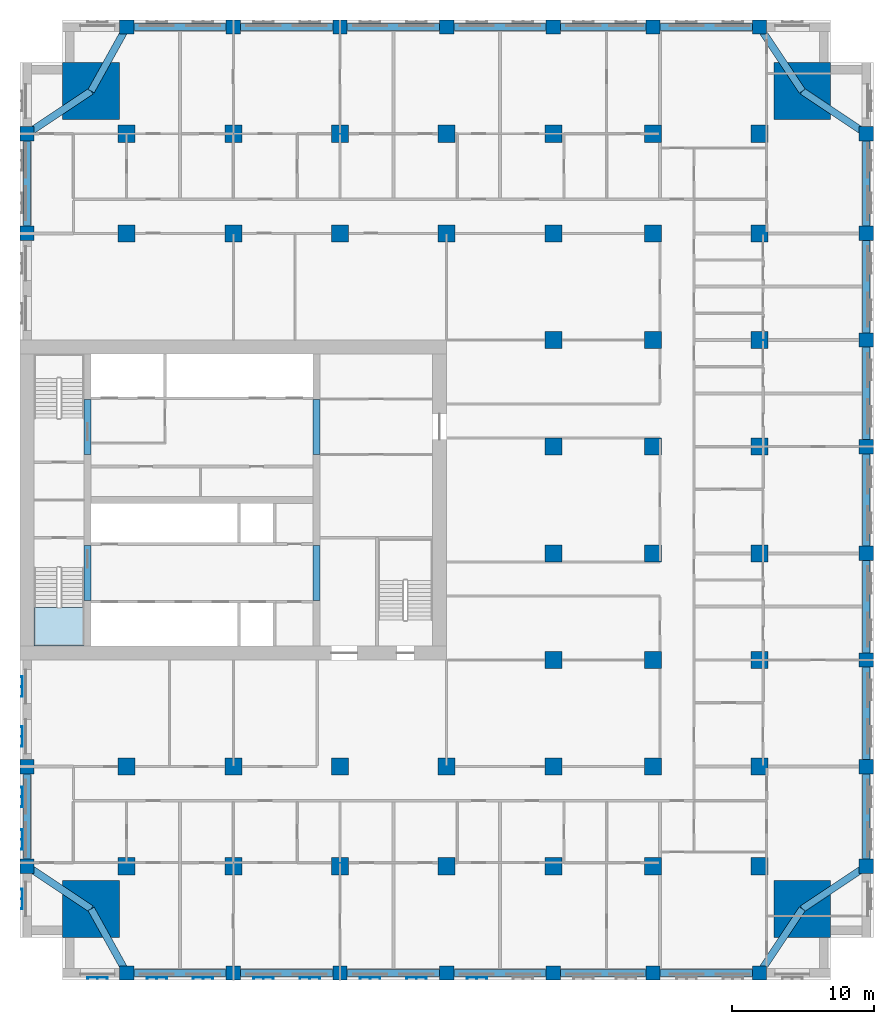
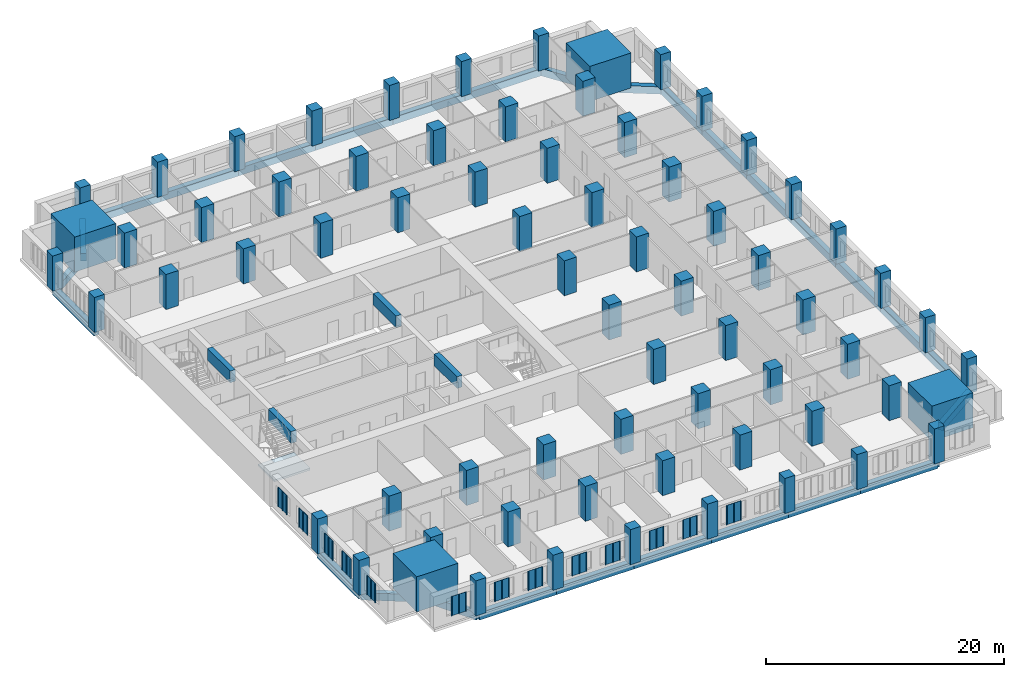
# One storey, part 1 of 14: 70 columns, 33 beams, 13 plates, 1 slab, 1 element without a shape of its own.
"""IFC4 building model written with IfcOpenShell, lengths in metres."""

from ifc_helpers import new_model, si_unit, direction, frame, origin, origin_2d, place, context, subcontext, project, spatial, polyline, rectangle, outline, extrude, material, layer, layer_set, material_profile, profile_set, type_object, element, aggregate, save


model = new_model("IFC4")

# Units and contexts
model_context = context("Model", 3, precision=1e-05, world=origin(), true_north=direction((0.0, 1.0)))
body_context = subcontext(model_context, "Body", "Model", "MODEL_VIEW")
ifc_project = project(units=[si_unit("LENGTHUNIT", "METRE"), si_unit("AREAUNIT", "SQUARE_METRE"), si_unit("VOLUMEUNIT", "CUBIC_METRE"), si_unit("PLANEANGLEUNIT", "RADIAN"), si_unit("MASSUNIT", "GRAM", prefix="KILO")], contexts=[model_context])

# Site, building, storey
site_placement = place(None, origin())
site = spatial("IfcSite", under=ifc_project, at=site_placement, CompositionType="ELEMENT")
building_placement = place(site_placement, origin())
building = spatial("IfcBuilding", under=site, at=building_placement, Name="Tamorin Gate", CompositionType="ELEMENT")
storey_placement = place(building_placement, frame((0.0, 0.0, 70.0)))
storey = spatial("IfcBuildingStorey", under=building, at=storey_placement, Name="L16", CompositionType="ELEMENT", Elevation=70.0)

# Columns
ifc_material_1 = material(Name="Concrete C80/95", Category="concrete")
ifc_material_profile_1 = material_profile(ifc_material_1, rectangle(XDim=1.0, YDim=1.0, at=origin_2d()), Name="RC 1000x1000")
ifc_profile_set_1 = profile_set([ifc_material_profile_1], Name="Concrete C80/95")
column_type_1 = type_object("IfcColumnType", Name="RC column 1000x1000 C80/95", PredefinedType="COLUMN", material=ifc_profile_set_1)
for number, where, z_axis, x_axis, name in (
    (1, (30.5, 45.5, 0.0), (0.0, 0.0, 1.0), (1.0, 0.0, 0.0), "Ring column L16"),
    (2, (30.5, 52.5, 0.0), (0.0, 0.0, 1.0), (1.0, 0.0, 0.0), "Ring column L16"),
    (3, (30.5, 90.0, 0.0), (0.0, 0.0, 1.0), (1.0, 0.0, 0.0), "Ring column L16"),
    (4, (30.5, 97.0, 0.0), (0.0, 0.0, 1.0), (1.0, 0.0, 0.0), "Ring column L16"),
    (5, (37.5, 38.0, 0.0), (0.0, 0.0, 1.0), (1.0, 0.0, 0.0), "Ring column L16"),
    (6, (37.5, 104.5, 0.0), (0.0, 0.0, 1.0), (1.0, 0.0, 0.0), "Ring column L16"),
    (7, (45.0, 38.0, 0.0), (0.0, 0.0, 1.0), (1.0, 0.0, 0.0), "Ring column L16"),
    (8, (45.0, 104.5, 0.0), (0.0, 0.0, 1.0), (1.0, 0.0, 0.0), "Ring column L16"),
    (9, (52.5, 38.0, 0.0), (0.0, 0.0, 1.0), (1.0, 0.0, 0.0), "Ring column L16"),
    (10, (52.5, 104.5, 0.0), (0.0, 0.0, 1.0), (1.0, 0.0, 0.0), "Ring column L16"),
    (11, (60.0, 38.0, 0.0), (0.0, 0.0, 1.0), (1.0, 0.0, 0.0), "Ring column L16"),
    (12, (60.0, 104.5, 0.0), (0.0, 0.0, 1.0), (1.0, 0.0, 0.0), "Ring column L16"),
    (13, (67.5, 38.0, 0.0), (0.0, 0.0, 1.0), (1.0, 0.0, 0.0), "Ring column L16"),
    (14, (67.5, 104.5, 0.0), (0.0, 0.0, 1.0), (1.0, 0.0, 0.0), "Ring column L16"),
    (15, (74.5, 38.0, 0.0), (0.0, 0.0, 1.0), (1.0, 0.0, 0.0), "Ring column L16"),
    (16, (74.5, 104.5, 0.0), (0.0, 0.0, 1.0), (1.0, 0.0, 0.0), "Ring column L16"),
    (17, (82.0, 38.0, 0.0), (0.0, 0.0, 1.0), (1.0, 0.0, 0.0), "Ring column L16"),
    (18, (82.0, 104.5, 0.0), (0.0, 0.0, 1.0), (1.0, 0.0, 0.0), "Ring column L16"),
    (19, (89.5, 45.5, 0.0), (0.0, 0.0, 1.0), (1.0, 0.0, 0.0), "Ring column L16"),
    (20, (89.5, 52.5, 0.0), (0.0, 0.0, 1.0), (1.0, 0.0, 0.0), "Ring column L16"),
    (21, (89.5, 60.0, 0.0), (0.0, 0.0, 1.0), (1.0, 0.0, 0.0), "Ring column L16"),
    (22, (89.5, 67.5, 0.0), (0.0, 0.0, 1.0), (1.0, 0.0, 0.0), "Ring column L16"),
    (23, (89.5, 75.0, 0.0), (0.0, 0.0, 1.0), (1.0, 0.0, 0.0), "Ring column L16"),
    (24, (89.5, 82.5, 0.0), (0.0, 0.0, 1.0), (1.0, 0.0, 0.0), "Ring column L16"),
    (25, (89.5, 90.0, 0.0), (0.0, 0.0, 1.0), (1.0, 0.0, 0.0), "Ring column L16"),
    (26, (89.5, 97.0, 0.0), (0.0, 0.0, 1.0), (1.0, 0.0, 0.0), "Ring column L16"),
):
    element("IfcColumn", number, at=place(storey_placement, frame(where, z_axis=z_axis, x_axis=x_axis)), inside=storey, type_object=column_type_1, Name=name, PredefinedType="COLUMN", context=body_context, shape_type="SweptSolid", body=[
        extrude(rectangle(XDim=1.0, YDim=1.0, at=origin_2d()), origin(), (0.0, 0.0, 1.0), 3.60009765625),
    ])
ifc_material_profile_2 = material_profile(ifc_material_1, rectangle(XDim=1.199951171875, YDim=1.199951171875, at=origin_2d()), Name="RC 1200x1200")
ifc_profile_set_2 = profile_set([ifc_material_profile_2], Name="Concrete C80/95")
column_type_2 = type_object("IfcColumnType", Name="RC column 1200x1200 C80/95", PredefinedType="COLUMN", material=ifc_profile_set_2)
for number, where, z_axis, x_axis, name in (
    (27, (37.5, 45.5, 0.0), (0.0, 0.0, 1.0), (1.0, 0.0, 0.0), "Interior column L16"),
    (28, (37.5, 52.5, 0.0), (0.0, 0.0, 1.0), (1.0, 0.0, 0.0), "Interior column L16"),
    (29, (37.5, 90.0, 0.0), (0.0, 0.0, 1.0), (1.0, 0.0, 0.0), "Interior column L16"),
    (30, (37.5, 97.0, 0.0), (0.0, 0.0, 1.0), (1.0, 0.0, 0.0), "Interior column L16"),
    (31, (45.0, 45.5, 0.0), (0.0, 0.0, 1.0), (1.0, 0.0, 0.0), "Interior column L16"),
    (32, (45.0, 52.5, 0.0), (0.0, 0.0, 1.0), (1.0, 0.0, 0.0), "Interior column L16"),
    (33, (45.0, 90.0, 0.0), (0.0, 0.0, 1.0), (1.0, 0.0, 0.0), "Interior column L16"),
    (34, (45.0, 97.0, 0.0), (0.0, 0.0, 1.0), (1.0, 0.0, 0.0), "Interior column L16"),
    (35, (52.5, 45.5, 0.0), (0.0, 0.0, 1.0), (1.0, 0.0, 0.0), "Interior column L16"),
    (36, (52.5, 52.5, 0.0), (0.0, 0.0, 1.0), (1.0, 0.0, 0.0), "Interior column L16"),
    (37, (52.5, 90.0, 0.0), (0.0, 0.0, 1.0), (1.0, 0.0, 0.0), "Interior column L16"),
    (38, (52.5, 97.0, 0.0), (0.0, 0.0, 1.0), (1.0, 0.0, 0.0), "Interior column L16"),
    (39, (60.0, 45.5, 0.0), (0.0, 0.0, 1.0), (1.0, 0.0, 0.0), "Interior column L16"),
    (40, (60.0, 52.5, 0.0), (0.0, 0.0, 1.0), (1.0, 0.0, 0.0), "Interior column L16"),
    (41, (60.0, 90.0, 0.0), (0.0, 0.0, 1.0), (1.0, 0.0, 0.0), "Interior column L16"),
    (42, (60.0, 97.0, 0.0), (0.0, 0.0, 1.0), (1.0, 0.0, 0.0), "Interior column L16"),
    (43, (67.5, 45.5, 0.0), (0.0, 0.0, 1.0), (1.0, 0.0, 0.0), "Interior column L16"),
    (44, (67.5, 52.5, 0.0), (0.0, 0.0, 1.0), (1.0, 0.0, 0.0), "Interior column L16"),
    (45, (67.5, 60.0, 0.0), (0.0, 0.0, 1.0), (1.0, 0.0, 0.0), "Interior column L16"),
    (46, (67.5, 67.5, 0.0), (0.0, 0.0, 1.0), (1.0, 0.0, 0.0), "Interior column L16"),
    (47, (67.5, 75.0, 0.0), (0.0, 0.0, 1.0), (1.0, 0.0, 0.0), "Interior column L16"),
    (48, (67.5, 82.5, 0.0), (0.0, 0.0, 1.0), (1.0, 0.0, 0.0), "Interior column L16"),
    (49, (67.5, 90.0, 0.0), (0.0, 0.0, 1.0), (1.0, 0.0, 0.0), "Interior column L16"),
    (50, (67.5, 97.0, 0.0), (0.0, 0.0, 1.0), (1.0, 0.0, 0.0), "Interior column L16"),
    (51, (74.5, 45.5, 0.0), (0.0, 0.0, 1.0), (1.0, 0.0, 0.0), "Interior column L16"),
    (52, (74.5, 52.5, 0.0), (0.0, 0.0, 1.0), (1.0, 0.0, 0.0), "Interior column L16"),
    (53, (74.5, 60.0, 0.0), (0.0, 0.0, 1.0), (1.0, 0.0, 0.0), "Interior column L16"),
    (54, (74.5, 67.5, 0.0), (0.0, 0.0, 1.0), (1.0, 0.0, 0.0), "Interior column L16"),
    (55, (74.5, 75.0, 0.0), (0.0, 0.0, 1.0), (1.0, 0.0, 0.0), "Interior column L16"),
    (56, (74.5, 82.5, 0.0), (0.0, 0.0, 1.0), (1.0, 0.0, 0.0), "Interior column L16"),
    (57, (74.5, 90.0, 0.0), (0.0, 0.0, 1.0), (1.0, 0.0, 0.0), "Interior column L16"),
    (58, (74.5, 97.0, 0.0), (0.0, 0.0, 1.0), (1.0, 0.0, 0.0), "Interior column L16"),
    (59, (82.0, 45.5, 0.0), (0.0, 0.0, 1.0), (1.0, 0.0, 0.0), "Interior column L16"),
    (60, (82.0, 52.5, 0.0), (0.0, 0.0, 1.0), (1.0, 0.0, 0.0), "Interior column L16"),
    (61, (82.0, 60.0, 0.0), (0.0, 0.0, 1.0), (1.0, 0.0, 0.0), "Interior column L16"),
    (62, (82.0, 67.5, 0.0), (0.0, 0.0, 1.0), (1.0, 0.0, 0.0), "Interior column L16"),
    (63, (82.0, 75.0, 0.0), (0.0, 0.0, 1.0), (1.0, 0.0, 0.0), "Interior column L16"),
    (64, (82.0, 82.5, 0.0), (0.0, 0.0, 1.0), (1.0, 0.0, 0.0), "Interior column L16"),
    (65, (82.0, 90.0, 0.0), (0.0, 0.0, 1.0), (1.0, 0.0, 0.0), "Interior column L16"),
    (66, (82.0, 97.0, 0.0), (0.0, 0.0, 1.0), (1.0, 0.0, 0.0), "Interior column L16"),
):
    element("IfcColumn", number, at=place(storey_placement, frame(where, z_axis=z_axis, x_axis=x_axis)), inside=storey, type_object=column_type_2, Name=name, PredefinedType="COLUMN", context=body_context, shape_type="SweptSolid", body=[
        extrude(rectangle(XDim=1.199951171875, YDim=1.199951171875, at=origin_2d()), origin(), (0.0, 0.0, 1.0), 3.60009765625),
    ])
ifc_material_profile_3 = material_profile(ifc_material_1, rectangle(XDim=4.0, YDim=4.0, at=origin_2d()), Name="RC 4000x4000")
ifc_profile_set_3 = profile_set([ifc_material_profile_3], Name="Concrete C80/95")
column_type_3 = type_object("IfcColumnType", Name="RC column 4000x4000 C80/95", PredefinedType="COLUMN", material=ifc_profile_set_3)
for number, where, z_axis, x_axis, name in (
    (67, (35.0, 42.5, 0.0), (0.0, 0.0, 1.0), (1.0, 0.0, 0.0), "Mega column SW L16"),
    (68, (85.0, 42.5, 0.0), (0.0, 0.0, 1.0), (1.0, 0.0, 0.0), "Mega column SE L16"),
    (69, (35.0, 100.0, 0.0), (0.0, 0.0, 1.0), (1.0, 0.0, 0.0), "Mega column NW L16"),
    (70, (85.0, 100.0, 0.0), (0.0, 0.0, 1.0), (1.0, 0.0, 0.0), "Mega column NE L16"),
):
    element("IfcColumn", number, at=place(storey_placement, frame(where, z_axis=z_axis, x_axis=x_axis)), inside=storey, type_object=column_type_3, Name=name, PredefinedType="COLUMN", context=body_context, shape_type="SweptSolid", body=[
        extrude(rectangle(XDim=4.0, YDim=4.0, at=origin_2d()), origin(), (0.0, 0.0, 1.0), 3.60009765625),
    ])

# Beams
ifc_material_profile_4 = material_profile(ifc_material_1, rectangle(XDim=0.5, YDim=1.199951171875, at=origin_2d()), Name="RC 500x1200")
ifc_profile_set_4 = profile_set([ifc_material_profile_4], Name="Concrete C80/95")
beam_type_1 = type_object("IfcBeamType", Name="RC coupling beam 500x1200 C80/95", PredefinedType="BEAM", material=ifc_profile_set_4)
for number, where, z_axis, x_axis, name in (
    (71, (34.75, 64.199951171875, 3.0), (0.0, 1.0, 0.0), (-1.0, 0.0, 0.0), "Coupling beam L16"),
    (72, (34.75, 74.449951171875, 3.0), (0.0, 1.0, 0.0), (-1.0, 0.0, 0.0), "Coupling beam L16"),
    (73, (50.85009765625, 64.199951171875, 3.0), (0.0, 1.0, 0.0), (-1.0, 0.0, 0.0), "Coupling beam L16"),
    (74, (50.85009765625, 74.449951171875, 3.0), (0.0, 1.0, 0.0), (-1.0, 0.0, 0.0), "Coupling beam L16"),
):
    element("IfcBeam", number, at=place(storey_placement, frame(where, z_axis=z_axis, x_axis=x_axis)), inside=storey, type_object=beam_type_1, Name=name, PredefinedType="BEAM", context=body_context, shape_type="SweptSolid", body=[
        extrude(rectangle(XDim=0.5, YDim=1.199951171875, at=origin_2d()), origin(), (0.0, 0.0, 1.0), 3.85009765625),
    ])
ifc_material_2 = material(Name="Concrete C50/60", Category="concrete")
ifc_material_profile_5 = material_profile(ifc_material_2, rectangle(XDim=0.5, YDim=0.75, at=origin_2d()), Name="RC 500x750")
ifc_profile_set_5 = profile_set([ifc_material_profile_5], Name="Concrete C50/60")
beam_type_2 = type_object("IfcBeamType", Name="RC spandrel 500x750 C50/60", PredefinedType="BEAM", material=ifc_profile_set_5)
for number, where, z_axis, x_axis, name in (
    (75, (37.5, 38.0, -0.375), (1.0, 0.0, 0.0), (0.0, 1.0, 0.0), "Spandrel beam L16"),
    (76, (45.0, 38.0, -0.375), (1.0, 0.0, 0.0), (0.0, 1.0, 0.0), "Spandrel beam L16"),
    (77, (52.5, 38.0, -0.375), (1.0, 0.0, 0.0), (0.0, 1.0, 0.0), "Spandrel beam L16"),
    (78, (60.0, 38.0, -0.375), (1.0, 0.0, 0.0), (0.0, 1.0, 0.0), "Spandrel beam L16"),
):
    element("IfcBeam", number, at=place(storey_placement, frame(where, z_axis=z_axis, x_axis=x_axis)), inside=storey, type_object=beam_type_2, Name=name, PredefinedType="BEAM", context=body_context, shape_type="SweptSolid", body=[
        extrude(rectangle(XDim=0.5, YDim=0.75, at=origin_2d()), origin(), (0.0, 0.0, 1.0), 7.5),
    ])
beam_1_placement = place(storey_placement, frame((67.5, 38.0, -0.375), z_axis=(1.0, 0.0, 0.0), x_axis=(0.0, 1.0, 0.0)))
element("IfcBeam", 79, at=beam_1_placement, inside=storey, type_object=beam_type_2, Name="Spandrel beam L16", PredefinedType="BEAM", context=body_context, shape_type="SweptSolid", body=[
    extrude(rectangle(XDim=0.5, YDim=0.75, at=origin_2d()), origin(), (0.0, 0.0, 1.0), 7.0),
])
beam_2_placement = place(storey_placement, frame((74.5, 38.0, -0.375), z_axis=(1.0, 0.0, 0.0), x_axis=(0.0, 1.0, 0.0)))
element("IfcBeam", 80, at=beam_2_placement, inside=storey, type_object=beam_type_2, Name="Spandrel beam L16", PredefinedType="BEAM", context=body_context, shape_type="SweptSolid", body=[
    extrude(rectangle(XDim=0.5, YDim=0.75, at=origin_2d()), origin(), (0.0, 0.0, 1.0), 7.5),
])
beam_3_placement = place(storey_placement, frame((89.5, 45.5, -0.375), z_axis=(0.0, 1.0, 0.0), x_axis=(-1.0, 0.0, 0.0)))
element("IfcBeam", 81, at=beam_3_placement, inside=storey, type_object=beam_type_2, Name="Spandrel beam L16", PredefinedType="BEAM", context=body_context, shape_type="SweptSolid", body=[
    extrude(rectangle(XDim=0.5, YDim=0.75, at=origin_2d()), origin(), (0.0, 0.0, 1.0), 7.0),
])
for number, where, z_axis, x_axis, name in (
    (82, (89.5, 52.5, -0.375), (0.0, 1.0, 0.0), (-1.0, 0.0, 0.0), "Spandrel beam L16"),
    (83, (89.5, 60.0, -0.375), (0.0, 1.0, 0.0), (-1.0, 0.0, 0.0), "Spandrel beam L16"),
    (84, (89.5, 67.5, -0.375), (0.0, 1.0, 0.0), (-1.0, 0.0, 0.0), "Spandrel beam L16"),
    (85, (89.5, 75.0, -0.375), (0.0, 1.0, 0.0), (-1.0, 0.0, 0.0), "Spandrel beam L16"),
    (86, (89.5, 82.5, -0.375), (0.0, 1.0, 0.0), (-1.0, 0.0, 0.0), "Spandrel beam L16"),
):
    element("IfcBeam", number, at=place(storey_placement, frame(where, z_axis=z_axis, x_axis=x_axis)), inside=storey, type_object=beam_type_2, Name=name, PredefinedType="BEAM", context=body_context, shape_type="SweptSolid", body=[
        extrude(rectangle(XDim=0.5, YDim=0.75, at=origin_2d()), origin(), (0.0, 0.0, 1.0), 7.5),
    ])
beam_4_placement = place(storey_placement, frame((89.5, 90.0, -0.375), z_axis=(0.0, 1.0, 0.0), x_axis=(-1.0, 0.0, 0.0)))
element("IfcBeam", 87, at=beam_4_placement, inside=storey, type_object=beam_type_2, Name="Spandrel beam L16", PredefinedType="BEAM", context=body_context, shape_type="SweptSolid", body=[
    extrude(rectangle(XDim=0.5, YDim=0.75, at=origin_2d()), origin(), (0.0, 0.0, 1.0), 7.0),
])
beam_5_placement = place(storey_placement, frame((82.0, 104.5, -0.375), z_axis=(-1.0, 0.0, 0.0), x_axis=(0.0, -1.0, 0.0)))
element("IfcBeam", 88, at=beam_5_placement, inside=storey, type_object=beam_type_2, Name="Spandrel beam L16", PredefinedType="BEAM", context=body_context, shape_type="SweptSolid", body=[
    extrude(rectangle(XDim=0.5, YDim=0.75, at=origin_2d()), origin(), (0.0, 0.0, 1.0), 7.5),
])
beam_6_placement = place(storey_placement, frame((74.5, 104.5, -0.375), z_axis=(-1.0, 0.0, 0.0), x_axis=(0.0, -1.0, 0.0)))
element("IfcBeam", 89, at=beam_6_placement, inside=storey, type_object=beam_type_2, Name="Spandrel beam L16", PredefinedType="BEAM", context=body_context, shape_type="SweptSolid", body=[
    extrude(rectangle(XDim=0.5, YDim=0.75, at=origin_2d()), origin(), (0.0, 0.0, 1.0), 7.0),
])
for number, where, z_axis, x_axis, name in (
    (90, (67.5, 104.5, -0.375), (-1.0, 0.0, 0.0), (0.0, -1.0, 0.0), "Spandrel beam L16"),
    (91, (60.0, 104.5, -0.375), (-1.0, 0.0, 0.0), (0.0, -1.0, 0.0), "Spandrel beam L16"),
    (92, (52.5, 104.5, -0.375), (-1.0, 0.0, 0.0), (0.0, -1.0, 0.0), "Spandrel beam L16"),
    (93, (45.0, 104.5, -0.375), (-1.0, 0.0, 0.0), (0.0, -1.0, 0.0), "Spandrel beam L16"),
):
    element("IfcBeam", number, at=place(storey_placement, frame(where, z_axis=z_axis, x_axis=x_axis)), inside=storey, type_object=beam_type_2, Name=name, PredefinedType="BEAM", context=body_context, shape_type="SweptSolid", body=[
        extrude(rectangle(XDim=0.5, YDim=0.75, at=origin_2d()), origin(), (0.0, 0.0, 1.0), 7.5),
    ])
for number, where, z_axis, x_axis, name in (
    (94, (30.5, 97.0, -0.375), (0.0, -1.0, 0.0), (1.0, 0.0, 0.0), "Spandrel beam L16"),
    (95, (30.5, 52.5, -0.375), (0.0, -1.0, 0.0), (1.0, 0.0, 0.0), "Spandrel beam L16"),
):
    element("IfcBeam", number, at=place(storey_placement, frame(where, z_axis=z_axis, x_axis=x_axis)), inside=storey, type_object=beam_type_2, Name=name, PredefinedType="BEAM", context=body_context, shape_type="SweptSolid", body=[
        extrude(rectangle(XDim=0.5, YDim=0.75, at=origin_2d()), origin(), (0.0, 0.0, 1.0), 7.0),
    ])
beam_7_placement = place(storey_placement, frame((35.0, 42.5, -0.375), z_axis=(0.485642931179, -0.874157276122, 0.0), x_axis=(0.874157276122, 0.485642931179, 0.0)))
element("IfcBeam", 96, at=beam_7_placement, inside=storey, type_object=beam_type_2, Name="Corner tie beam L16", PredefinedType="BEAM", context=body_context, shape_type="SweptSolid", body=[
    extrude(rectangle(XDim=0.5, YDim=0.75, at=origin_2d()), origin(), (0.0, 0.0, 1.0), 5.147705078125),
])
for number, where, z_axis, x_axis, name in (
    (97, (35.0, 42.5, -0.375), (-0.832050294338, 0.554700196225, 0.0), (-0.554700196225, -0.832050294338, 0.0), "Corner tie beam L16"),
    (98, (85.0, 42.5, -0.375), (-0.554700196225, -0.832050294338, 0.0), (0.832050294338, -0.554700196225, 0.0), "Corner tie beam L16"),
    (99, (85.0, 42.5, -0.375), (0.832050294338, 0.554700196225, 0.0), (-0.554700196225, 0.832050294338, 0.0), "Corner tie beam L16"),
):
    element("IfcBeam", number, at=place(storey_placement, frame(where, z_axis=z_axis, x_axis=x_axis)), inside=storey, type_object=beam_type_2, Name=name, PredefinedType="BEAM", context=body_context, shape_type="SweptSolid", body=[
        extrude(rectangle(XDim=0.5, YDim=0.75, at=origin_2d()), origin(), (0.0, 0.0, 1.0), 5.408447265625),
    ])
beam_8_placement = place(storey_placement, frame((35.0, 100.0, -0.375), z_axis=(0.485642931179, 0.874157276122, 0.0), x_axis=(-0.874157276122, 0.485642931179, 0.0)))
element("IfcBeam", 100, at=beam_8_placement, inside=storey, type_object=beam_type_2, Name="Corner tie beam L16", PredefinedType="BEAM", context=body_context, shape_type="SweptSolid", body=[
    extrude(rectangle(XDim=0.5, YDim=0.75, at=origin_2d()), origin(), (0.0, 0.0, 1.0), 5.147705078125),
])
for number, where, z_axis, x_axis, name in (
    (101, (35.0, 100.0, -0.375), (-0.832050294338, -0.554700196225, 0.0), (0.554700196225, -0.832050294338, 0.0), "Corner tie beam L16"),
    (102, (85.0, 100.0, -0.375), (-0.554700196225, 0.832050294338, 0.0), (-0.832050294338, -0.554700196225, 0.0), "Corner tie beam L16"),
    (103, (85.0, 100.0, -0.375), (0.832050294338, -0.554700196225, 0.0), (0.554700196225, 0.832050294338, 0.0), "Corner tie beam L16"),
):
    element("IfcBeam", number, at=place(storey_placement, frame(where, z_axis=z_axis, x_axis=x_axis)), inside=storey, type_object=beam_type_2, Name=name, PredefinedType="BEAM", context=body_context, shape_type="SweptSolid", body=[
        extrude(rectangle(XDim=0.5, YDim=0.75, at=origin_2d()), origin(), (0.0, 0.0, 1.0), 5.408447265625),
    ])

# Stair, slab
ifc_material_3 = material(Name="Concrete C40/50", Category="concrete")
stair_type = type_object("IfcStairType", Name="Exit stair", PredefinedType="HALF_TURN_STAIR", material=ifc_material_3)
stair_placement = place(storey_placement, origin())
stair = element("IfcStair", 104, at=stair_placement, inside=storey, type_object=stair_type, Name="L16 stair ST1", PredefinedType="HALF_TURN_STAIR")
ifc_layer_1 = layer(ifc_material_3, 0.199951171875)
ifc_layer_set_1 = layer_set([ifc_layer_1], Name="Exit stair landing 200")
slab_type = type_object("IfcSlabType", Name="Exit stair landing 200", PredefinedType="LANDING", material=ifc_layer_set_1)
slab_placement = place(storey_placement, frame((0.0, 0.0, 1.60009765625)))
slab = element("IfcSlab", 105, at=slab_placement, type_object=slab_type, Name="ST1 landing 1", PredefinedType="LANDING", context=body_context, shape_type="SweptSolid", body=[
    extrude(outline(polyline([(31.0, 63.699951171875), (31.0, 61.0), (34.5, 61.0), (34.5, 63.699951171875), (31.0, 63.699951171875)])), origin(), (0.0, 0.0, 1.0), 0.199951171875),
])
aggregate(stair, [slab])

# Plates
ifc_material_4 = material(Name="Perforated pale aluminium sheet", Category="aluminium")
ifc_layer_2 = layer(ifc_material_4, 0.0400390625)
ifc_layer_set_2 = layer_set([ifc_layer_2], Name="Pale metal solar screen 1440")
plate_type = type_object("IfcPlateType", Name="Pale metal solar screen 1440", PredefinedType="SHEET", material=ifc_layer_set_2)
plate_1_placement = place(storey_placement, frame((0.0, 0.0, 0.7099609375)))
element("IfcPlate", 106, at=plate_1_placement, inside=storey, type_object=plate_type, Name="Perforated solar screen", PredefinedType="SHEET", context=body_context, shape_type="SweptSolid", body=[
    extrude(outline(polyline([(34.72998046875, 37.659912109375), (34.72998046875, 37.699951171875), (34.7900390625, 37.699951171875), (35.419921875, 37.699951171875), (35.47998046875, 37.699951171875), (36.110107421875, 37.699951171875), (36.169921875, 37.699951171875), (36.169921875, 37.659912109375), (36.169921875, 37.60009765625), (36.110107421875, 37.60009765625), (36.110107421875, 37.659912109375), (35.47998046875, 37.659912109375), (35.47998046875, 37.60009765625), (35.419921875, 37.60009765625), (35.419921875, 37.659912109375), (34.7900390625, 37.659912109375), (34.7900390625, 37.60009765625), (34.72998046875, 37.60009765625), (34.72998046875, 37.659912109375)])), origin(), (0.0, 0.0, 1.0), 1.97998046875),
])
plate_2_placement = place(storey_placement, frame((0.0, 0.0, 0.7099609375)))
element("IfcPlate", 107, at=plate_2_placement, inside=storey, type_object=plate_type, Name="Perforated solar screen", PredefinedType="SHEET", context=body_context, shape_type="SweptSolid", body=[
    extrude(outline(polyline([(38.905029296875, 37.659912109375), (38.905029296875, 37.699951171875), (38.965087890625, 37.699951171875), (39.594970703125, 37.699951171875), (39.655029296875, 37.699951171875), (40.284912109375, 37.699951171875), (40.344970703125, 37.699951171875), (40.344970703125, 37.699951171875), (40.344970703125, 37.659912109375), (40.344970703125, 37.659912109375), (40.344970703125, 37.60009765625), (40.284912109375, 37.60009765625), (40.284912109375, 37.659912109375), (39.655029296875, 37.659912109375), (39.655029296875, 37.60009765625), (39.594970703125, 37.60009765625), (39.594970703125, 37.659912109375), (38.965087890625, 37.659912109375), (38.965087890625, 37.60009765625), (38.905029296875, 37.60009765625), (38.905029296875, 37.659912109375)])), origin(), (0.0, 0.0, 1.0), 1.97998046875),
])
plate_3_placement = place(storey_placement, frame((0.0, 0.0, 0.7099609375)))
element("IfcPlate", 108, at=plate_3_placement, inside=storey, type_object=plate_type, Name="Perforated solar screen", PredefinedType="SHEET", context=body_context, shape_type="SweptSolid", body=[
    extrude(outline(polyline([(42.155029296875, 37.659912109375), (42.155029296875, 37.699951171875), (42.215087890625, 37.699951171875), (42.844970703125, 37.699951171875), (42.905029296875, 37.699951171875), (43.534912109375, 37.699951171875), (43.594970703125, 37.699951171875), (43.594970703125, 37.659912109375), (43.594970703125, 37.60009765625), (43.534912109375, 37.60009765625), (43.534912109375, 37.659912109375), (42.905029296875, 37.659912109375), (42.905029296875, 37.60009765625), (42.844970703125, 37.60009765625), (42.844970703125, 37.659912109375), (42.215087890625, 37.659912109375), (42.215087890625, 37.60009765625), (42.155029296875, 37.60009765625), (42.155029296875, 37.659912109375)])), origin(), (0.0, 0.0, 1.0), 1.97998046875),
])
plate_4_placement = place(storey_placement, frame((0.0, 0.0, 0.7099609375)))
element("IfcPlate", 109, at=plate_4_placement, inside=storey, type_object=plate_type, Name="Perforated solar screen", PredefinedType="SHEET", context=body_context, shape_type="SweptSolid", body=[
    extrude(outline(polyline([(46.405029296875, 37.659912109375), (46.405029296875, 37.699951171875), (46.465087890625, 37.699951171875), (47.094970703125, 37.699951171875), (47.155029296875, 37.699951171875), (47.784912109375, 37.699951171875), (47.844970703125, 37.699951171875), (47.844970703125, 37.659912109375), (47.844970703125, 37.60009765625), (47.784912109375, 37.60009765625), (47.784912109375, 37.659912109375), (47.155029296875, 37.659912109375), (47.155029296875, 37.60009765625), (47.094970703125, 37.60009765625), (47.094970703125, 37.659912109375), (46.465087890625, 37.659912109375), (46.465087890625, 37.60009765625), (46.405029296875, 37.60009765625), (46.405029296875, 37.659912109375)])), origin(), (0.0, 0.0, 1.0), 1.97998046875),
])
plate_5_placement = place(storey_placement, frame((0.0, 0.0, 0.7099609375)))
element("IfcPlate", 110, at=plate_5_placement, inside=storey, type_object=plate_type, Name="Perforated solar screen", PredefinedType="SHEET", context=body_context, shape_type="SweptSolid", body=[
    extrude(outline(polyline([(49.655029296875, 37.659912109375), (49.655029296875, 37.699951171875), (49.715087890625, 37.699951171875), (50.344970703125, 37.699951171875), (50.405029296875, 37.699951171875), (51.034912109375, 37.699951171875), (51.094970703125, 37.699951171875), (51.094970703125, 37.659912109375), (51.094970703125, 37.60009765625), (51.034912109375, 37.60009765625), (51.034912109375, 37.659912109375), (50.405029296875, 37.659912109375), (50.405029296875, 37.60009765625), (50.344970703125, 37.60009765625), (50.344970703125, 37.659912109375), (49.715087890625, 37.659912109375), (49.715087890625, 37.60009765625), (49.655029296875, 37.60009765625), (49.655029296875, 37.659912109375)])), origin(), (0.0, 0.0, 1.0), 1.97998046875),
])
plate_6_placement = place(storey_placement, frame((0.0, 0.0, 0.7099609375)))
element("IfcPlate", 111, at=plate_6_placement, inside=storey, type_object=plate_type, Name="Perforated solar screen", PredefinedType="SHEET", context=body_context, shape_type="SweptSolid", body=[
    extrude(outline(polyline([(53.905029296875, 37.659912109375), (53.905029296875, 37.699951171875), (53.965087890625, 37.699951171875), (54.594970703125, 37.699951171875), (54.655029296875, 37.699951171875), (55.284912109375, 37.699951171875), (55.344970703125, 37.699951171875), (55.344970703125, 37.659912109375), (55.344970703125, 37.60009765625), (55.284912109375, 37.60009765625), (55.284912109375, 37.659912109375), (54.655029296875, 37.659912109375), (54.655029296875, 37.60009765625), (54.594970703125, 37.60009765625), (54.594970703125, 37.659912109375), (53.965087890625, 37.659912109375), (53.965087890625, 37.60009765625), (53.905029296875, 37.60009765625), (53.905029296875, 37.659912109375)])), origin(), (0.0, 0.0, 1.0), 1.97998046875),
])
plate_7_placement = place(storey_placement, frame((0.0, 0.0, 0.7099609375)))
element("IfcPlate", 112, at=plate_7_placement, inside=storey, type_object=plate_type, Name="Perforated solar screen", PredefinedType="SHEET", context=body_context, shape_type="SweptSolid", body=[
    extrude(outline(polyline([(57.155029296875, 37.659912109375), (57.155029296875, 37.699951171875), (57.215087890625, 37.699951171875), (57.844970703125, 37.699951171875), (57.905029296875, 37.699951171875), (58.534912109375, 37.699951171875), (58.594970703125, 37.699951171875), (58.594970703125, 37.659912109375), (58.594970703125, 37.60009765625), (58.534912109375, 37.60009765625), (58.534912109375, 37.659912109375), (57.905029296875, 37.659912109375), (57.905029296875, 37.60009765625), (57.844970703125, 37.60009765625), (57.844970703125, 37.659912109375), (57.215087890625, 37.659912109375), (57.215087890625, 37.60009765625), (57.155029296875, 37.60009765625), (57.155029296875, 37.659912109375)])), origin(), (0.0, 0.0, 1.0), 1.97998046875),
])
plate_8_placement = place(storey_placement, frame((0.0, 0.0, 0.7099609375)))
element("IfcPlate", 113, at=plate_8_placement, inside=storey, type_object=plate_type, Name="Perforated solar screen", PredefinedType="SHEET", context=body_context, shape_type="SweptSolid", body=[
    extrude(outline(polyline([(61.405029296875, 37.659912109375), (61.405029296875, 37.699951171875), (61.465087890625, 37.699951171875), (62.094970703125, 37.699951171875), (62.155029296875, 37.699951171875), (62.784912109375, 37.699951171875), (62.844970703125, 37.699951171875), (62.844970703125, 37.659912109375), (62.844970703125, 37.60009765625), (62.784912109375, 37.60009765625), (62.784912109375, 37.659912109375), (62.155029296875, 37.659912109375), (62.155029296875, 37.60009765625), (62.094970703125, 37.60009765625), (62.094970703125, 37.659912109375), (61.465087890625, 37.659912109375), (61.465087890625, 37.60009765625), (61.405029296875, 37.60009765625), (61.405029296875, 37.659912109375)])), origin(), (0.0, 0.0, 1.0), 1.97998046875),
])
plate_9_placement = place(storey_placement, frame((0.0, 0.0, 0.7099609375)))
element("IfcPlate", 114, at=plate_9_placement, inside=storey, type_object=plate_type, Name="Perforated solar screen", PredefinedType="SHEET", context=body_context, shape_type="SweptSolid", body=[
    extrude(outline(polyline([(30.159912109375, 55.344970703125), (30.199951171875, 55.344970703125), (30.199951171875, 55.284912109375), (30.199951171875, 54.655029296875), (30.199951171875, 54.594970703125), (30.199951171875, 53.965087890625), (30.199951171875, 53.905029296875), (30.159912109375, 53.905029296875), (30.10009765625, 53.905029296875), (30.10009765625, 53.965087890625), (30.159912109375, 53.965087890625), (30.159912109375, 54.594970703125), (30.10009765625, 54.594970703125), (30.10009765625, 54.655029296875), (30.159912109375, 54.655029296875), (30.159912109375, 55.284912109375), (30.10009765625, 55.284912109375), (30.10009765625, 55.344970703125), (30.159912109375, 55.344970703125)])), origin(), (0.0, 0.0, 1.0), 1.97998046875),
])
plate_10_placement = place(storey_placement, frame((0.0, 0.0, 0.7099609375)))
element("IfcPlate", 115, at=plate_10_placement, inside=storey, type_object=plate_type, Name="Perforated solar screen", PredefinedType="SHEET", context=body_context, shape_type="SweptSolid", body=[
    extrude(outline(polyline([(30.159912109375, 58.844970703125), (30.199951171875, 58.844970703125), (30.199951171875, 58.784912109375), (30.199951171875, 58.155029296875), (30.199951171875, 58.094970703125), (30.199951171875, 57.465087890625), (30.199951171875, 57.405029296875), (30.159912109375, 57.405029296875), (30.10009765625, 57.405029296875), (30.10009765625, 57.465087890625), (30.159912109375, 57.465087890625), (30.159912109375, 58.094970703125), (30.10009765625, 58.094970703125), (30.10009765625, 58.155029296875), (30.159912109375, 58.155029296875), (30.159912109375, 58.784912109375), (30.10009765625, 58.784912109375), (30.10009765625, 58.844970703125), (30.159912109375, 58.844970703125)])), origin(), (0.0, 0.0, 1.0), 1.97998046875),
])
plate_11_placement = place(storey_placement, frame((0.0, 0.0, 0.7099609375)))
element("IfcPlate", 116, at=plate_11_placement, inside=storey, type_object=plate_type, Name="Perforated solar screen", PredefinedType="SHEET", context=body_context, shape_type="SweptSolid", body=[
    extrude(outline(polyline([(30.159912109375, 48.094970703125), (30.199951171875, 48.094970703125), (30.199951171875, 48.034912109375), (30.199951171875, 47.405029296875), (30.199951171875, 47.344970703125), (30.199951171875, 46.715087890625), (30.199951171875, 46.655029296875), (30.159912109375, 46.655029296875), (30.10009765625, 46.655029296875), (30.10009765625, 46.715087890625), (30.159912109375, 46.715087890625), (30.159912109375, 47.344970703125), (30.10009765625, 47.344970703125), (30.10009765625, 47.405029296875), (30.159912109375, 47.405029296875), (30.159912109375, 48.034912109375), (30.10009765625, 48.034912109375), (30.10009765625, 48.094970703125), (30.159912109375, 48.094970703125)])), origin(), (0.0, 0.0, 1.0), 1.97998046875),
])
plate_12_placement = place(storey_placement, frame((0.0, 0.0, 0.7099609375)))
element("IfcPlate", 117, at=plate_12_placement, inside=storey, type_object=plate_type, Name="Perforated solar screen", PredefinedType="SHEET", context=body_context, shape_type="SweptSolid", body=[
    extrude(outline(polyline([(30.159912109375, 51.094970703125), (30.199951171875, 51.094970703125), (30.199951171875, 51.034912109375), (30.199951171875, 50.405029296875), (30.199951171875, 50.344970703125), (30.199951171875, 49.715087890625), (30.199951171875, 49.655029296875), (30.159912109375, 49.655029296875), (30.10009765625, 49.655029296875), (30.10009765625, 49.715087890625), (30.159912109375, 49.715087890625), (30.159912109375, 50.344970703125), (30.10009765625, 50.344970703125), (30.10009765625, 50.405029296875), (30.159912109375, 50.405029296875), (30.159912109375, 51.034912109375), (30.10009765625, 51.034912109375), (30.10009765625, 51.094970703125), (30.159912109375, 51.094970703125)])), origin(), (0.0, 0.0, 1.0), 1.97998046875),
])
plate_13_placement = place(storey_placement, frame((0.0, 0.0, 0.7099609375)))
element("IfcPlate", 118, at=plate_13_placement, inside=storey, type_object=plate_type, Name="Perforated solar screen", PredefinedType="SHEET", context=body_context, shape_type="SweptSolid", body=[
    extrude(outline(polyline([(30.159912109375, 43.919921875), (30.199951171875, 43.919921875), (30.199951171875, 43.860107421875), (30.199951171875, 43.22998046875), (30.199951171875, 43.169921875), (30.199951171875, 42.5400390625), (30.199951171875, 42.47998046875), (30.159912109375, 42.47998046875), (30.10009765625, 42.47998046875), (30.10009765625, 42.5400390625), (30.159912109375, 42.5400390625), (30.159912109375, 43.169921875), (30.10009765625, 43.169921875), (30.10009765625, 43.22998046875), (30.159912109375, 43.22998046875), (30.159912109375, 43.860107421875), (30.10009765625, 43.860107421875), (30.10009765625, 43.919921875), (30.159912109375, 43.919921875)])), origin(), (0.0, 0.0, 1.0), 1.97998046875),
])

save(model, "model.ifc")
